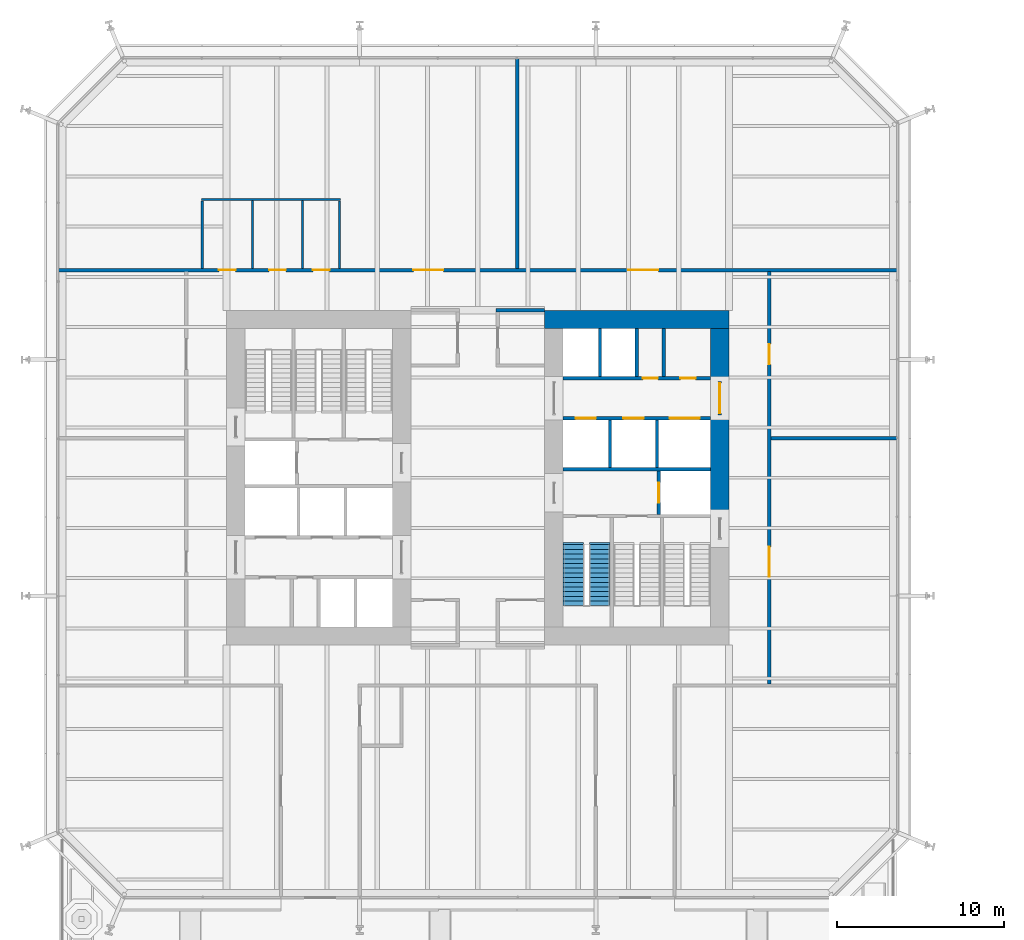
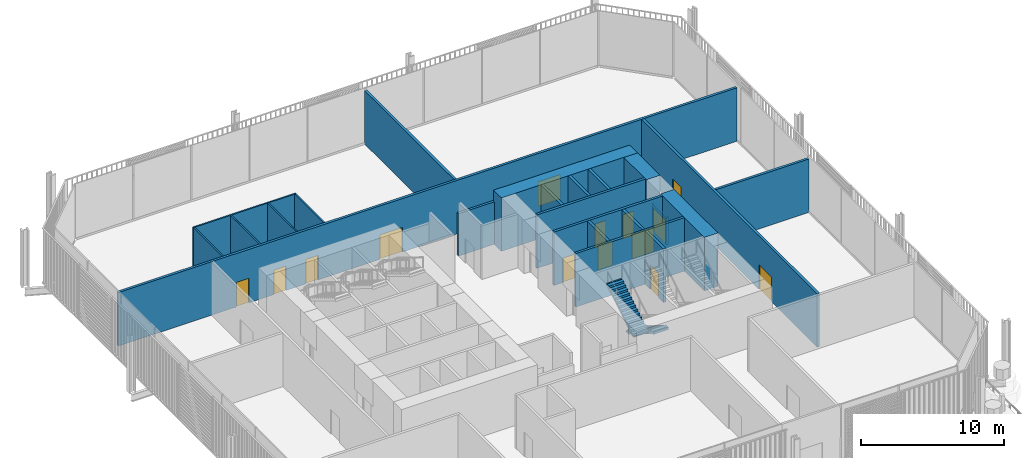
# One storey, part 17 of 21: 23 walls, 14 doors, 2 stair flights, 14 openings, 1 element without a shape of its own.
"""IFC4 building model written with IfcOpenShell, lengths in metres."""

from ifc_helpers import new_model, si_unit, direction, frame, frame_2d, origin, place, context, subcontext, project, spatial, polyline, rectangle, outline, extrude, material, layer, layer_set, type_object, element, fill, aggregate, save


model = new_model("IFC4")

# Units and contexts
model_context = context("Model", 3, precision=1e-05, world=origin(), true_north=direction((0.0, 1.0)))
body_context = subcontext(model_context, "Body", "Model", "MODEL_VIEW")
ifc_project = project(units=[si_unit("LENGTHUNIT", "METRE"), si_unit("AREAUNIT", "SQUARE_METRE"), si_unit("VOLUMEUNIT", "CUBIC_METRE"), si_unit("PLANEANGLEUNIT", "RADIAN"), si_unit("MASSUNIT", "GRAM", prefix="KILO")], contexts=[model_context])

# Site, building, storey
site_placement = place(None, origin())
site = spatial("IfcSite", under=ifc_project, at=site_placement, CompositionType="ELEMENT")
building_placement = place(site_placement, origin())
building = spatial("IfcBuilding", under=site, at=building_placement, Name="Millrace Tower", CompositionType="ELEMENT")
storey_placement = place(building_placement, frame((0.0, 0.0, 16.10009765625)))
storey = spatial("IfcBuildingStorey", under=building, at=storey_placement, Name="L04", CompositionType="ELEMENT", Elevation=16.10009765625)

# Walls
ifc_material_1 = material(Name="Concrete C80", Category="concrete")
ifc_layer_1 = layer(ifc_material_1, 1.10009765625)
ifc_layer_set_1 = layer_set([ifc_layer_1], Name="Concrete C80")
wall_type_1 = type_object("IfcWallType", Name="Core wall 1100 Concrete C80", PredefinedType="SHEAR", material=ifc_layer_set_1)
wall_1_placement = place(storey_placement, frame((15.0, 9.449951171875, 0.0), z_axis=(0.0, 0.0, 1.0), x_axis=(-1.0, 0.0, 0.0)))
element("IfcWall", 1, at=wall_1_placement, inside=storey, type_object=wall_type_1, Name="Core wall E L04", PredefinedType="SHEAR", context=body_context, shape_type="SweptSolid", body=[
    extrude(rectangle(XDim=11.0, YDim=1.10009765625, at=frame_2d((5.5, 0.0))), origin(), (0.0, 0.0, 1.0), 4.574951171875),
])
wall_2_placement = place(storey_placement, frame((14.449951171875, 8.89990234375, 0.0), z_axis=(0.0, 0.0, 1.0), x_axis=(0.0, -1.0, 0.0)))
element("IfcWall", 2, at=wall_2_placement, inside=storey, type_object=wall_type_1, Name="Core wall E L04", PredefinedType="SHEAR", context=body_context, shape_type="SweptSolid", body=[
    extrude(rectangle(XDim=3.14990234375, YDim=1.10009765625, at=frame_2d((1.574951171875, 0.0))), origin(), (0.0, 0.0, 1.0), 4.574951171875),
])
wall_3_placement = place(storey_placement, frame((14.449951171875, 3.75, 0.0), z_axis=(0.0, 0.0, 1.0), x_axis=(0.0, -1.0, 0.0)))
element("IfcWall", 3, at=wall_3_placement, inside=storey, type_object=wall_type_1, Name="Core wall E L04", PredefinedType="SHEAR", context=body_context, shape_type="SweptSolid", body=[
    extrude(rectangle(XDim=6.1298828125, YDim=1.10009765625, at=frame_2d((3.06494140625, 0.0))), origin(), (0.0, 0.0, 1.0), 4.574951171875),
])
ifc_material_2 = material(Name="Masonry partition, fire-rated", Category="masonry")
ifc_layer_2 = layer(ifc_material_2, 0.199951171875)
ifc_layer_set_2 = layer_set([ifc_layer_2], Name="Masonry partition, fire-rated")
wall_type_2 = type_object("IfcWallType", Name="Corridor wall 200", PredefinedType="PARTITIONING", material=ifc_layer_set_2)
wall_4_placement = place(storey_placement, frame((17.5, 2.35009765625, 0.0), z_axis=(0.0, 0.0, 1.0), x_axis=(1.0, 0.0, 0.0)))
element("IfcWall", 4, at=wall_4_placement, inside=storey, type_object=wall_type_2, Name="Corridor wall L04", PredefinedType="PARTITIONING", context=body_context, shape_type="SweptSolid", body=[
    extrude(rectangle(XDim=7.530029296875, YDim=0.199951171875, at=frame_2d((3.76513671875, 0.0))), origin(), (0.0, 0.0, 1.0), 4.574951171875),
])
wall_5_placement = place(storey_placement, frame((1.10009765625, 10.0, 0.0), z_axis=(0.0, 0.0, 1.0), x_axis=(1.0, 0.0, 0.0)))
element("IfcWall", 5, at=wall_5_placement, inside=storey, type_object=wall_type_2, Name="Corridor wall L04", PredefinedType="PARTITIONING", context=body_context, shape_type="SweptSolid", body=[
    extrude(rectangle(XDim=2.89990234375, YDim=0.199951171875, at=frame_2d((1.449951171875, 0.0))), origin(), (0.0, 0.0, 1.0), 3.62744140625),
])

# Wall, openings, doors
wall_6_placement = place(storey_placement, frame((-25.030029296875, 12.39990234375, 0.0), z_axis=(0.0, 0.0, 1.0), x_axis=(1.0, 0.0, 0.0)))
wall_6 = element("IfcWall", 6, at=wall_6_placement, inside=storey, type_object=wall_type_2, Name="Corridor wall L04", PredefinedType="PARTITIONING", context=body_context, shape_type="SweptSolid", body=[
    extrude(rectangle(XDim=50.06005859375, YDim=0.199951171875, at=frame_2d((25.030029296875, 0.0))), origin(), (0.0, 0.0, 1.0), 4.574951171875),
])
opening_1_placement = place(wall_6_placement, frame((21.179931640625, 0.0, 0.0)))
opening_1 = element("IfcOpeningElement", 7, at=opening_1_placement, cuts=wall_6, Name="Opening 04-P009", PredefinedType="OPENING", context=body_context, shape_type="SweptSolid", body=[
    extrude(rectangle(XDim=1.800048828125, YDim=2.10009765625, at=frame_2d((0.89990234375, 1.050048828125))), frame((0.0, 0.10986328125, 0.0), z_axis=(0.0, -1.0, 0.0), x_axis=(1.0, 0.0, 0.0)), (0.0, 0.0, 1.0), 0.219970703125),
])
opening_2_placement = place(wall_6_placement, frame((9.580078125, 0.0, 0.0)))
opening_2 = element("IfcOpeningElement", 8, at=opening_2_placement, cuts=wall_6, Name="Opening 04-P010", PredefinedType="OPENING", context=body_context, shape_type="SweptSolid", body=[
    extrude(rectangle(XDim=1.0, YDim=2.10009765625, at=frame_2d((0.5, 1.050048828125))), frame((0.0, 0.10986328125, 0.0), z_axis=(0.0, -1.0, 0.0), x_axis=(1.0, 0.0, 0.0)), (0.0, 0.0, 1.0), 0.219970703125),
])
opening_3_placement = place(wall_6_placement, frame((12.580078125, 0.0, 0.0)))
opening_3 = element("IfcOpeningElement", 9, at=opening_3_placement, cuts=wall_6, Name="Opening 04-P011", PredefinedType="OPENING", context=body_context, shape_type="SweptSolid", body=[
    extrude(rectangle(XDim=1.0, YDim=2.10009765625, at=frame_2d((0.5, 1.050048828125))), frame((0.0, 0.10986328125, 0.0), z_axis=(0.0, -1.0, 0.0), x_axis=(1.0, 0.0, 0.0)), (0.0, 0.0, 1.0), 0.219970703125),
])
opening_4_placement = place(wall_6_placement, frame((15.179931640625, 0.0, 0.0)))
opening_4 = element("IfcOpeningElement", 10, at=opening_4_placement, cuts=wall_6, Name="Opening 04-P012", PredefinedType="OPENING", context=body_context, shape_type="SweptSolid", body=[
    extrude(rectangle(XDim=1.0, YDim=2.10009765625, at=frame_2d((0.5, 1.050048828125))), frame((0.0, 0.10986328125, 0.0), z_axis=(0.0, -1.0, 0.0), x_axis=(1.0, 0.0, 0.0)), (0.0, 0.0, 1.0), 0.219970703125),
])
opening_5_placement = place(wall_6_placement, frame((34.010009765625, 0.0, 0.0)))
opening_5 = element("IfcOpeningElement", 11, at=opening_5_placement, cuts=wall_6, Name="Opening 04-P013", PredefinedType="OPENING", context=body_context, shape_type="SweptSolid", body=[
    extrude(rectangle(XDim=1.800048828125, YDim=2.10009765625, at=frame_2d((0.89990234375, 1.050048828125))), frame((0.0, 0.10986328125, 0.0), z_axis=(0.0, -1.0, 0.0), x_axis=(1.0, 0.0, 0.0)), (0.0, 0.0, 1.0), 0.219970703125),
])
ifc_material_3 = material(Name="Steel door set, fire-rated", Category="steel")
door_type_1 = type_object("IfcDoorType", Name="Corridor door 1000 x 2100", OperationType="SINGLE_SWING_LEFT", PredefinedType="DOOR", material=ifc_material_3)
door_1_placement = place(opening_2_placement, origin())
door_1 = element("IfcDoor", 12, at=door_1_placement, inside=storey, type_object=door_type_1, Name="Door 04-P010", OperationType="SINGLE_SWING_LEFT", OverallHeight=2.10009765625, OverallWidth=1.0, PredefinedType="DOOR", context=body_context, shape_type="SweptSolid", body=[
    extrude(rectangle(XDim=1.0, YDim=2.10009765625, at=frame_2d((0.5, 1.050048828125))), frame((0.0, 0.02490234375, 0.0), z_axis=(0.0, -1.0, 0.0), x_axis=(1.0, 0.0, 0.0)), (0.0, 0.0, 1.0), 0.050048828125),
])
fill(opening_2, door_1)
door_2_placement = place(opening_3_placement, origin())
door_2 = element("IfcDoor", 13, at=door_2_placement, inside=storey, type_object=door_type_1, Name="Door 04-P011", OperationType="SINGLE_SWING_LEFT", OverallHeight=2.10009765625, OverallWidth=1.0, PredefinedType="DOOR", context=body_context, shape_type="SweptSolid", body=[
    extrude(rectangle(XDim=1.0, YDim=2.10009765625, at=frame_2d((0.5, 1.050048828125))), frame((0.0, 0.02490234375, 0.0), z_axis=(0.0, -1.0, 0.0), x_axis=(1.0, 0.0, 0.0)), (0.0, 0.0, 1.0), 0.050048828125),
])
fill(opening_3, door_2)
door_3_placement = place(opening_4_placement, origin())
door_3 = element("IfcDoor", 14, at=door_3_placement, inside=storey, type_object=door_type_1, Name="Door 04-P012", OperationType="SINGLE_SWING_LEFT", OverallHeight=2.10009765625, OverallWidth=1.0, PredefinedType="DOOR", context=body_context, shape_type="SweptSolid", body=[
    extrude(rectangle(XDim=1.0, YDim=2.10009765625, at=frame_2d((0.5, 1.050048828125))), frame((0.0, 0.02490234375, 0.0), z_axis=(0.0, -1.0, 0.0), x_axis=(1.0, 0.0, 0.0)), (0.0, 0.0, 1.0), 0.050048828125),
])
fill(opening_4, door_3)
ifc_material_4 = material(Name="Steel door set, fire-rated", Category="steel")
door_type_2 = type_object("IfcDoorType", Name="Corridor door 1800 x 2100", OperationType="DOUBLE_DOOR_SINGLE_SWING", PredefinedType="DOOR", material=ifc_material_4)
door_4_placement = place(opening_1_placement, frame((1.800048828125, 0.0, 0.0), z_axis=(0.0, 0.0, 1.0), x_axis=(-1.0, 0.0, 0.0)))
door_4 = element("IfcDoor", 15, at=door_4_placement, inside=storey, type_object=door_type_2, Name="Door 04-P009", OperationType="DOUBLE_DOOR_SINGLE_SWING", OverallHeight=2.10009765625, OverallWidth=1.800048828125, PredefinedType="DOOR", context=body_context, shape_type="SweptSolid", body=[
    extrude(rectangle(XDim=1.800048828125, YDim=2.10009765625, at=frame_2d((0.89990234375, 1.050048828125))), frame((0.0, 0.02490234375, 0.0), z_axis=(0.0, -1.0, 0.0), x_axis=(1.0, 0.0, 0.0)), (0.0, 0.0, 1.0), 0.050048828125),
])
fill(opening_1, door_4)
ifc_material_5 = material(Name="Steel door set, fire-rated", Category="steel")
door_type_3 = type_object("IfcDoorType", Name="Data hall door 1800 x 2100", OperationType="DOUBLE_DOOR_SINGLE_SWING", PredefinedType="DOOR", material=ifc_material_5)
door_5_placement = place(opening_5_placement, origin())
door_5 = element("IfcDoor", 16, at=door_5_placement, inside=storey, type_object=door_type_3, Name="Door 04-P013", OperationType="DOUBLE_DOOR_SINGLE_SWING", OverallHeight=2.10009765625, OverallWidth=1.800048828125, PredefinedType="DOOR", context=body_context, shape_type="SweptSolid", body=[
    extrude(rectangle(XDim=1.800048828125, YDim=2.10009765625, at=frame_2d((0.89990234375, 1.050048828125))), frame((0.0, 0.02490234375, 0.0), z_axis=(0.0, -1.0, 0.0), x_axis=(1.0, 0.0, 0.0)), (0.0, 0.0, 1.0), 0.050048828125),
])
fill(opening_5, door_5)

wall_7_placement = place(storey_placement, frame((17.39990234375, -12.300048828125, 0.0), z_axis=(0.0, 0.0, 1.0), x_axis=(0.0, 1.0, 0.0)))
wall_7 = element("IfcWall", 17, at=wall_7_placement, inside=storey, type_object=wall_type_2, Name="Corridor wall L04", PredefinedType="PARTITIONING", context=body_context, shape_type="SweptSolid", body=[
    extrude(rectangle(XDim=24.60009765625, YDim=0.199951171875, at=frame_2d((12.300048828125, 0.0))), origin(), (0.0, 0.0, 1.0), 4.574951171875),
])
opening_6_placement = place(wall_7_placement, frame((6.375, 0.0, 0.0)))
opening_6 = element("IfcOpeningElement", 18, at=opening_6_placement, cuts=wall_7, Name="Opening 04-P014", PredefinedType="OPENING", context=body_context, shape_type="SweptSolid", body=[
    extrude(rectangle(XDim=1.800048828125, YDim=2.10009765625, at=frame_2d((0.89990234375, 1.050048828125))), frame((0.0, 0.10986328125, 0.0), z_axis=(0.0, -1.0, 0.0), x_axis=(1.0, 0.0, 0.0)), (0.0, 0.0, 1.0), 0.219970703125),
])
opening_7_placement = place(wall_7_placement, frame((19.074951171875, 0.0, 0.0)))
opening_7 = element("IfcOpeningElement", 19, at=opening_7_placement, cuts=wall_7, Name="Opening 04-P015", PredefinedType="OPENING", context=body_context, shape_type="SweptSolid", body=[
    extrude(rectangle(XDim=1.199951171875, YDim=2.10009765625, at=frame_2d((0.60009765625, 1.050048828125))), frame((0.0, 0.10986328125, 0.0), z_axis=(0.0, -1.0, 0.0), x_axis=(1.0, 0.0, 0.0)), (0.0, 0.0, 1.0), 0.219970703125),
])
ifc_material_6 = material(Name="Steel door set, fire-rated", Category="steel")
door_type_4 = type_object("IfcDoorType", Name="Corridor door 1200 x 2100", OperationType="SINGLE_SWING_LEFT", PredefinedType="DOOR", material=ifc_material_6)
door_6_placement = place(opening_7_placement, frame((1.199951171875, 0.0, 0.0), z_axis=(0.0, 0.0, 1.0), x_axis=(-1.0, 0.0, 0.0)))
door_6 = element("IfcDoor", 20, at=door_6_placement, inside=storey, type_object=door_type_4, Name="Door 04-P015", OperationType="SINGLE_SWING_LEFT", OverallHeight=2.10009765625, OverallWidth=1.199951171875, PredefinedType="DOOR", context=body_context, shape_type="SweptSolid", body=[
    extrude(rectangle(XDim=1.199951171875, YDim=2.10009765625, at=frame_2d((0.60009765625, 1.050048828125))), frame((0.0, 0.02490234375, 0.0), z_axis=(0.0, -1.0, 0.0), x_axis=(1.0, 0.0, 0.0)), (0.0, 0.0, 1.0), 0.050048828125),
])
fill(opening_7, door_6)
door_7_placement = place(opening_6_placement, frame((1.800048828125, 0.0, 0.0), z_axis=(0.0, 0.0, 1.0), x_axis=(-1.0, 0.0, 0.0)))
door_7 = element("IfcDoor", 21, at=door_7_placement, inside=storey, type_object=door_type_3, Name="Door 04-P014", OperationType="DOUBLE_DOOR_SINGLE_SWING", OverallHeight=2.10009765625, OverallWidth=1.800048828125, PredefinedType="DOOR", context=body_context, shape_type="SweptSolid", body=[
    extrude(rectangle(XDim=1.800048828125, YDim=2.10009765625, at=frame_2d((0.89990234375, 1.050048828125))), frame((0.0, 0.02490234375, 0.0), z_axis=(0.0, -1.0, 0.0), x_axis=(1.0, 0.0, 0.0)), (0.0, 0.0, 1.0), 0.050048828125),
])
fill(opening_6, door_7)

# Wall
wall_8_placement = place(storey_placement, frame((2.35009765625, 12.5, 0.0), z_axis=(0.0, 0.0, 1.0), x_axis=(0.0, 1.0, 0.0)))
element("IfcWall", 22, at=wall_8_placement, inside=storey, type_object=wall_type_2, Name="Corridor wall L04", PredefinedType="PARTITIONING", context=body_context, shape_type="SweptSolid", body=[
    extrude(rectangle(XDim=12.530029296875, YDim=0.199951171875, at=frame_2d((6.26513671875, 0.0))), origin(), (0.0, 0.0, 1.0), 4.574951171875),
])

# Wall, openings, doors
ifc_material_7 = material(Name="Masonry partition, fire-rated", Category="masonry")
ifc_layer_3 = layer(ifc_material_7, 0.199951171875)
ifc_layer_set_3 = layer_set([ifc_layer_3], Name="Masonry partition, fire-rated")
wall_type_3 = type_object("IfcWallType", Name="Lift shaft wall 200", PredefinedType="PARTITIONING", material=ifc_layer_set_3)
wall_9_placement = place(storey_placement, frame((13.89990234375, 5.949951171875, 0.0), z_axis=(0.0, 0.0, 1.0), x_axis=(-1.0, 0.0, 0.0)))
wall_9 = element("IfcWall", 23, at=wall_9_placement, inside=storey, type_object=wall_type_3, Name="Lift shaft wall E L04", PredefinedType="PARTITIONING", context=body_context, shape_type="SweptSolid", body=[
    extrude(rectangle(XDim=8.7998046875, YDim=0.199951171875, at=frame_2d((4.39990234375, 0.0))), origin(), (0.0, 0.0, 1.0), 4.574951171875),
])
opening_8_placement = place(wall_9_placement, frame((0.8974609375, 0.0, 0.0)))
opening_8 = element("IfcOpeningElement", 24, at=opening_8_placement, cuts=wall_9, Name="Opening 04-C013", PredefinedType="OPENING", context=body_context, shape_type="SweptSolid", body=[
    extrude(rectangle(XDim=0.89990234375, YDim=2.10009765625, at=frame_2d((0.449951171875, 1.050048828125))), frame((0.0, 0.10986328125, 0.0), z_axis=(0.0, -1.0, 0.0), x_axis=(1.0, 0.0, 0.0)), (0.0, 0.0, 1.0), 0.219970703125),
])
opening_9_placement = place(wall_9_placement, frame((3.1474609375, 0.0, 0.0)))
opening_9 = element("IfcOpeningElement", 25, at=opening_9_placement, cuts=wall_9, Name="Opening 04-C014", PredefinedType="OPENING", context=body_context, shape_type="SweptSolid", body=[
    extrude(rectangle(XDim=0.89990234375, YDim=2.10009765625, at=frame_2d((0.449951171875, 1.050048828125))), frame((0.0, 0.10986328125, 0.0), z_axis=(0.0, -1.0, 0.0), x_axis=(1.0, 0.0, 0.0)), (0.0, 0.0, 1.0), 0.219970703125),
])
ifc_material_8 = material(Name="Steel door, fire-rated", Category="steel")
door_type_5 = type_object("IfcDoorType", Name="Service room door 900 x 2100", OperationType="SINGLE_SWING_LEFT", PredefinedType="DOOR", material=ifc_material_8)
door_8_placement = place(opening_8_placement, frame((0.89990234375, 0.0, 0.0), z_axis=(0.0, 0.0, 1.0), x_axis=(-1.0, 0.0, 0.0)))
door_8 = element("IfcDoor", 26, at=door_8_placement, inside=storey, type_object=door_type_5, Name="Service room door 04-C013", OperationType="SINGLE_SWING_RIGHT", OverallHeight=2.10009765625, OverallWidth=0.89990234375, PredefinedType="DOOR", context=body_context, shape_type="SweptSolid", body=[
    extrude(rectangle(XDim=0.89990234375, YDim=2.10009765625, at=frame_2d((0.449951171875, 1.050048828125))), frame((0.0, 0.02490234375, 0.0), z_axis=(0.0, -1.0, 0.0), x_axis=(1.0, 0.0, 0.0)), (0.0, 0.0, 1.0), 0.050048828125),
])
fill(opening_8, door_8)
door_9_placement = place(opening_9_placement, frame((0.89990234375, 0.0, 0.0), z_axis=(0.0, 0.0, 1.0), x_axis=(-1.0, 0.0, 0.0)))
door_9 = element("IfcDoor", 27, at=door_9_placement, inside=storey, type_object=door_type_5, Name="Service room door 04-C014", OperationType="SINGLE_SWING_RIGHT", OverallHeight=2.10009765625, OverallWidth=0.89990234375, PredefinedType="DOOR", context=body_context, shape_type="SweptSolid", body=[
    extrude(rectangle(XDim=0.89990234375, YDim=2.10009765625, at=frame_2d((0.449951171875, 1.050048828125))), frame((0.0, 0.02490234375, 0.0), z_axis=(0.0, -1.0, 0.0), x_axis=(1.0, 0.0, 0.0)), (0.0, 0.0, 1.0), 0.050048828125),
])
fill(opening_9, door_9)

wall_10_placement = place(storey_placement, frame((13.89990234375, 3.550048828125, 0.0), z_axis=(0.0, 0.0, 1.0), x_axis=(-1.0, 0.0, 0.0)))
wall_10 = element("IfcWall", 28, at=wall_10_placement, inside=storey, type_object=wall_type_3, Name="Lift shaft wall E L04", PredefinedType="PARTITIONING", context=body_context, shape_type="SweptSolid", body=[
    extrude(rectangle(XDim=8.7998046875, YDim=0.199951171875, at=frame_2d((4.39990234375, 0.0))), origin(), (0.0, 0.0, 1.0), 4.574951171875),
])
opening_10_placement = place(wall_10_placement, frame((0.64990234375, 0.0, 0.0)))
opening_10 = element("IfcOpeningElement", 29, at=opening_10_placement, cuts=wall_10, Name="Opening 04-LD13", PredefinedType="OPENING", context=body_context, shape_type="SweptSolid", body=[
    extrude(rectangle(XDim=1.800048828125, YDim=2.10009765625, at=frame_2d((0.89990234375, 1.050048828125))), frame((0.0, 0.10986328125, 0.0), z_axis=(0.0, -1.0, 0.0), x_axis=(1.0, 0.0, 0.0)), (0.0, 0.0, 1.0), 0.219970703125),
])
opening_11_placement = place(wall_10_placement, frame((4.0, 0.0, 0.0)))
opening_11 = element("IfcOpeningElement", 30, at=opening_11_placement, cuts=wall_10, Name="Opening 04-LD14", PredefinedType="OPENING", context=body_context, shape_type="SweptSolid", body=[
    extrude(rectangle(XDim=1.199951171875, YDim=2.10009765625, at=frame_2d((0.60009765625, 1.050048828125))), frame((0.0, 0.10986328125, 0.0), z_axis=(0.0, -1.0, 0.0), x_axis=(1.0, 0.0, 0.0)), (0.0, 0.0, 1.0), 0.219970703125),
])
opening_12_placement = place(wall_10_placement, frame((6.85009765625, 0.0, 0.0)))
opening_12 = element("IfcOpeningElement", 31, at=opening_12_placement, cuts=wall_10, Name="Opening 04-LD15", PredefinedType="OPENING", context=body_context, shape_type="SweptSolid", body=[
    extrude(rectangle(XDim=1.199951171875, YDim=2.10009765625, at=frame_2d((0.60009765625, 1.050048828125))), frame((0.0, 0.10986328125, 0.0), z_axis=(0.0, -1.0, 0.0), x_axis=(1.0, 0.0, 0.0)), (0.0, 0.0, 1.0), 0.219970703125),
])
ifc_material_9 = material(Name="Stainless steel, fire-rated", Category="steel")
door_type_6 = type_object("IfcDoorType", Name="Lift landing door 1200 x 2100", OperationType="DOUBLE_DOOR_SLIDING", PredefinedType="DOOR", material=ifc_material_9)
door_10_placement = place(opening_11_placement, origin())
door_10 = element("IfcDoor", 32, at=door_10_placement, inside=storey, type_object=door_type_6, Name="Lift landing door LF14 L04", OperationType="DOUBLE_DOOR_SLIDING", OverallHeight=2.10009765625, OverallWidth=1.199951171875, PredefinedType="DOOR", context=body_context, shape_type="SweptSolid", body=[
    extrude(rectangle(XDim=1.199951171875, YDim=2.10009765625, at=frame_2d((0.60009765625, 1.050048828125))), frame((0.0, 0.02490234375, 0.0), z_axis=(0.0, -1.0, 0.0), x_axis=(1.0, 0.0, 0.0)), (0.0, 0.0, 1.0), 0.050048828125),
])
fill(opening_11, door_10)
door_11_placement = place(opening_12_placement, origin())
door_11 = element("IfcDoor", 33, at=door_11_placement, inside=storey, type_object=door_type_6, Name="Lift landing door LF15 L04", OperationType="DOUBLE_DOOR_SLIDING", OverallHeight=2.10009765625, OverallWidth=1.199951171875, PredefinedType="DOOR", context=body_context, shape_type="SweptSolid", body=[
    extrude(rectangle(XDim=1.199951171875, YDim=2.10009765625, at=frame_2d((0.60009765625, 1.050048828125))), frame((0.0, 0.02490234375, 0.0), z_axis=(0.0, -1.0, 0.0), x_axis=(1.0, 0.0, 0.0)), (0.0, 0.0, 1.0), 0.050048828125),
])
fill(opening_12, door_11)
ifc_material_10 = material(Name="Stainless steel, fire-rated", Category="steel")
door_type_7 = type_object("IfcDoorType", Name="Lift landing door 1800 x 2100", OperationType="DOUBLE_DOOR_SLIDING", PredefinedType="DOOR", material=ifc_material_10)
door_12_placement = place(opening_10_placement, origin())
door_12 = element("IfcDoor", 34, at=door_12_placement, inside=storey, type_object=door_type_7, Name="Lift landing door LF13 L04", OperationType="DOUBLE_DOOR_SLIDING", OverallHeight=2.10009765625, OverallWidth=1.800048828125, PredefinedType="DOOR", context=body_context, shape_type="SweptSolid", body=[
    extrude(rectangle(XDim=1.800048828125, YDim=2.10009765625, at=frame_2d((0.89990234375, 1.050048828125))), frame((0.0, 0.02490234375, 0.0), z_axis=(0.0, -1.0, 0.0), x_axis=(1.0, 0.0, 0.0)), (0.0, 0.0, 1.0), 0.050048828125),
])
fill(opening_10, door_12)

# Wall
wall_11_placement = place(storey_placement, frame((13.89990234375, 0.5, 0.0), z_axis=(0.0, 0.0, 1.0), x_axis=(-1.0, 0.0, 0.0)))
element("IfcWall", 35, at=wall_11_placement, inside=storey, type_object=wall_type_3, Name="Lift shaft wall E L04", PredefinedType="PARTITIONING", context=body_context, shape_type="SweptSolid", body=[
    extrude(rectangle(XDim=8.7998046875, YDim=0.199951171875, at=frame_2d((4.39990234375, 0.0))), origin(), (0.0, 0.0, 1.0), 4.574951171875),
])

# Wall, opening, door
wall_12_placement = place(storey_placement, frame((10.800048828125, 0.39990234375, 0.0), z_axis=(0.0, 0.0, 1.0), x_axis=(0.0, -1.0, 0.0)))
wall_12 = element("IfcWall", 36, at=wall_12_placement, inside=storey, type_object=wall_type_3, Name="Lift shaft wall E L04", PredefinedType="PARTITIONING", context=body_context, shape_type="SweptSolid", body=[
    extrude(rectangle(XDim=2.579833984375, YDim=0.199951171875, at=frame_2d((1.2900390625, 0.0))), origin(), (0.0, 0.0, 1.0), 4.574951171875),
])
opening_13_placement = place(wall_12_placement, frame((0.68994140625, 0.0, 0.0)))
opening_13 = element("IfcOpeningElement", 37, at=opening_13_placement, cuts=wall_12, Name="Opening 04-LD16", PredefinedType="OPENING", context=body_context, shape_type="SweptSolid", body=[
    extrude(rectangle(XDim=1.199951171875, YDim=2.10009765625, at=frame_2d((0.60009765625, 1.050048828125))), frame((0.0, 0.10986328125, 0.0), z_axis=(0.0, -1.0, 0.0), x_axis=(1.0, 0.0, 0.0)), (0.0, 0.0, 1.0), 0.219970703125),
])
door_13_placement = place(opening_13_placement, origin())
door_13 = element("IfcDoor", 38, at=door_13_placement, inside=storey, type_object=door_type_6, Name="Lift landing door LF16 L04", OperationType="DOUBLE_DOOR_SLIDING", OverallHeight=2.10009765625, OverallWidth=1.199951171875, PredefinedType="DOOR", context=body_context, shape_type="SweptSolid", body=[
    extrude(rectangle(XDim=1.199951171875, YDim=2.10009765625, at=frame_2d((0.60009765625, 1.050048828125))), frame((0.0, 0.02490234375, 0.0), z_axis=(0.0, -1.0, 0.0), x_axis=(1.0, 0.0, 0.0)), (0.0, 0.0, 1.0), 0.050048828125),
])
fill(opening_13, door_13)

# Walls
for number, where, z_axis, x_axis, name in (
    (39, (9.5, 8.89990234375, 0.0), (0.0, 0.0, 1.0), (0.0, -1.0, 0.0), "Lift shaft wall E L04"),
    (40, (7.300048828125, 8.89990234375, 0.0), (0.0, 0.0, 1.0), (0.0, -1.0, 0.0), "Lift shaft wall E L04"),
    (41, (10.699951171875, 3.449951171875, 0.0), (0.0, 0.0, 1.0), (0.0, -1.0, 0.0), "Lift shaft wall E L04"),
    (42, (7.89990234375, 3.449951171875, 0.0), (0.0, 0.0, 1.0), (0.0, -1.0, 0.0), "Lift shaft wall E L04"),
):
    element("IfcWall", number, at=place(storey_placement, frame(where, z_axis=z_axis, x_axis=x_axis)), inside=storey, type_object=wall_type_3, Name=name, PredefinedType="PARTITIONING", context=body_context, shape_type="SweptSolid", body=[
        extrude(rectangle(XDim=2.849853515625, YDim=0.199951171875, at=frame_2d((1.4248046875, 0.0))), origin(), (0.0, 0.0, 1.0), 4.574951171875),
    ])

# Wall, opening, door
ifc_material_11 = material(Name="Masonry partition, fire-rated", Category="masonry")
ifc_layer_4 = layer(ifc_material_11, 0.199951171875)
ifc_layer_set_4 = layer_set([ifc_layer_4], Name="Masonry partition, fire-rated")
wall_type_4 = type_object("IfcWallType", Name="Lobby wall 200", PredefinedType="PARTITIONING", material=ifc_layer_set_4)
wall_13_placement = place(storey_placement, frame((14.449951171875, 5.75, 0.0), z_axis=(0.0, 0.0, 1.0), x_axis=(0.0, -1.0, 0.0)))
wall_13 = element("IfcWall", 43, at=wall_13_placement, inside=storey, type_object=wall_type_4, Name="Lobby wall E L04", PredefinedType="PARTITIONING", context=body_context, shape_type="SweptSolid", body=[
    extrude(rectangle(XDim=2.0, YDim=0.199951171875, at=frame_2d((1.0, 0.0))), origin(), (0.0, 0.0, 1.0), 2.39990234375),
])
opening_14_placement = place(wall_13_placement, frame((0.10009765625, 0.0, 0.0)))
opening_14 = element("IfcOpeningElement", 44, at=opening_14_placement, cuts=wall_13, Name="Opening 04-C009", PredefinedType="OPENING", context=body_context, shape_type="SweptSolid", body=[
    extrude(rectangle(XDim=1.800048828125, YDim=2.10009765625, at=frame_2d((0.89990234375, 1.050048828125))), frame((0.0, 0.10986328125, 0.0), z_axis=(0.0, -1.0, 0.0), x_axis=(1.0, 0.0, 0.0)), (0.0, 0.0, 1.0), 0.219970703125),
])
ifc_material_12 = material(Name="Steel door, fire-rated", Category="steel")
door_type_8 = type_object("IfcDoorType", Name="Lobby door 1800 x 2100", OperationType="DOUBLE_DOOR_SINGLE_SWING", PredefinedType="DOOR", material=ifc_material_12)
door_14_placement = place(opening_14_placement, origin())
door_14 = element("IfcDoor", 45, at=door_14_placement, inside=storey, type_object=door_type_8, Name="Lobby door 04-C009", OperationType="DOUBLE_DOOR_SINGLE_SWING", OverallHeight=2.10009765625, OverallWidth=1.800048828125, PredefinedType="DOOR", context=body_context, shape_type="SweptSolid", body=[
    extrude(rectangle(XDim=1.800048828125, YDim=2.10009765625, at=frame_2d((0.89990234375, 1.050048828125))), frame((0.0, 0.02490234375, 0.0), z_axis=(0.0, -1.0, 0.0), x_axis=(1.0, 0.0, 0.0)), (0.0, 0.0, 1.0), 0.050048828125),
])
fill(opening_14, door_14)

# Walls
ifc_material_13 = material(Name="Gypsum board partition")
ifc_layer_5 = layer(ifc_material_13, 0.1201171875)
ifc_layer_set_5 = layer_set([ifc_layer_5], Name="Gypsum board partition")
wall_type_5 = type_object("IfcWallType", Name="Partition wall 120", PredefinedType="PARTITIONING", material=ifc_layer_set_5)
wall_14_placement = place(storey_placement, frame((-16.509033203125, 16.60009765625, 0.0), z_axis=(0.0, 0.0, 1.0), x_axis=(1.0, 0.0, 0.0)))
element("IfcWall", 46, at=wall_14_placement, inside=storey, type_object=wall_type_5, Name="Partition wall L04", PredefinedType="PARTITIONING", context=body_context, shape_type="SweptSolid", body=[
    extrude(rectangle(XDim=8.318115234375, YDim=0.1201171875, at=frame_2d((4.1591796875, 0.0))), origin(), (0.0, 0.0, 1.0), 4.574951171875),
])
wall_15_placement = place(storey_placement, frame((-8.25, 12.5, 0.0), z_axis=(0.0, 0.0, 1.0), x_axis=(0.0, 1.0, 0.0)))
element("IfcWall", 47, at=wall_15_placement, inside=storey, type_object=wall_type_5, Name="Partition wall L04", PredefinedType="PARTITIONING", context=body_context, shape_type="SweptSolid", body=[
    extrude(rectangle(XDim=4.0390625, YDim=0.1201171875, at=frame_2d((2.01953125, 0.0))), origin(), (0.0, 0.0, 1.0), 4.574951171875),
])
for number, where, z_axis, x_axis, name in (
    (48, (-10.449951171875, 12.5, 0.0), (0.0, 0.0, 1.0), (0.0, 1.0, 0.0), "Partition wall L04"),
    (49, (-13.449951171875, 12.5, 0.0), (0.0, 0.0, 1.0), (0.0, 1.0, 0.0), "Partition wall L04"),
):
    element("IfcWall", number, at=place(storey_placement, frame(where, z_axis=z_axis, x_axis=x_axis)), inside=storey, type_object=wall_type_5, Name=name, PredefinedType="PARTITIONING", context=body_context, shape_type="SweptSolid", body=[
        extrude(rectangle(XDim=4.0400390625, YDim=0.1201171875, at=frame_2d((2.02001953125, 0.0))), origin(), (0.0, 0.0, 1.0), 4.574951171875),
    ])
wall_16_placement = place(storey_placement, frame((-16.449951171875, 12.5, 0.0), z_axis=(0.0, 0.0, 1.0), x_axis=(0.0, 1.0, 0.0)))
element("IfcWall", 50, at=wall_16_placement, inside=storey, type_object=wall_type_5, Name="Partition wall L04", PredefinedType="PARTITIONING", context=body_context, shape_type="SweptSolid", body=[
    extrude(rectangle(XDim=4.0390625, YDim=0.1201171875, at=frame_2d((2.01953125, 0.0))), origin(), (0.0, 0.0, 1.0), 4.574951171875),
])
ifc_material_14 = material(Name="Masonry partition, fire-rated", Category="masonry")
ifc_layer_6 = layer(ifc_material_14, 0.199951171875)
ifc_layer_set_6 = layer_set([ifc_layer_6], Name="Masonry partition, fire-rated")
wall_type_6 = type_object("IfcWallType", Name="Room partition 200", PredefinedType="PARTITIONING", material=ifc_layer_set_6)
wall_17_placement = place(storey_placement, frame((11.10498046875, 8.89990234375, 0.0), z_axis=(0.0, 0.0, 1.0), x_axis=(0.0, -1.0, 0.0)))
element("IfcWall", 51, at=wall_17_placement, inside=storey, type_object=wall_type_6, Name="Room partition E L04", PredefinedType="PARTITIONING", context=body_context, shape_type="SweptSolid", body=[
    extrude(rectangle(XDim=2.849853515625, YDim=0.199951171875, at=frame_2d((1.4248046875, 0.0))), origin(), (0.0, 0.0, 1.0), 4.574951171875),
])

# Stair, stair flights
ifc_material_15 = material(Name="Concrete C35", Category="concrete")
stair_type = type_object("IfcStairType", Name="Exit stair", PredefinedType="HALF_TURN_STAIR", material=ifc_material_15)
stair_placement = place(storey_placement, origin())
stair = element("IfcStair", 52, at=stair_placement, inside=storey, type_object=stair_type, Name="Stair 3 E L04", PredefinedType="HALF_TURN_STAIR")
ifc_material_16 = material(Name="Concrete C35", Category="concrete")
stair_flight_type = type_object("IfcStairFlightType", Name="Exit stair flight", PredefinedType="STRAIGHT", material=ifc_material_16)
stair_flight_1_placement = place(storey_placement, frame((7.2900390625, -4.0, 0.0), z_axis=(0.0, 0.0, 1.0), x_axis=(0.0, -1.0, 0.0)))
stair_flight_1 = element("IfcStairFlight", 53, at=stair_flight_1_placement, type_object=stair_flight_type, Name="ST12 flight 1", NumberOfRisers=14, NumberOfTreads=13, PredefinedType="STRAIGHT", RiserHeight=0.171428571, TreadLength=0.28, context=body_context, shape_type="SweptSolid", body=[
    extrude(outline(polyline([(-0.1201171875, -0.0400390625), (-0.1201171875, 0.0), (0.0, 0.0), (0.0, 0.17138671875), (0.280029296875, 0.17138671875), (0.280029296875, 0.3427734375), (0.56005859375, 0.3427734375), (0.56005859375, 0.514404296875), (0.840087890625, 0.514404296875), (0.840087890625, 0.685791015625), (1.1201171875, 0.685791015625), (1.1201171875, 0.857177734375), (1.39990234375, 0.857177734375), (1.39990234375, 1.028564453125), (1.679931640625, 1.028564453125), (1.679931640625, 1.199951171875), (1.9599609375, 1.199951171875), (1.9599609375, 1.371337890625), (2.239990234375, 1.371337890625), (2.239990234375, 1.54296875), (2.52001953125, 1.54296875), (2.52001953125, 1.71435546875), (2.800048828125, 1.71435546875), (2.800048828125, 1.8857421875), (3.080078125, 1.8857421875), (3.080078125, 2.05712890625), (3.360107421875, 2.05712890625), (3.360107421875, 2.228515625), (3.639892578125, 2.228515625), (3.639892578125, 2.24853515625), (3.760009765625, 2.24853515625), (3.760009765625, 2.052734375), (3.639892578125, 2.052734375), (0.287109375, 0.0), (0.287109375, -0.0400390625), (-0.1201171875, -0.0400390625)])), frame((0.0, 0.60986328125, 0.0), z_axis=(0.0, -1.0, 0.0), x_axis=(1.0, 0.0, 0.0)), (0.0, 0.0, 1.0), 1.219970703125),
])
stair_flight_2_placement = place(storey_placement, frame((5.7099609375, -7.639892578125, 2.39990234375), z_axis=(0.0, 0.0, 1.0), x_axis=(0.0, 1.0, 0.0)))
stair_flight_2 = element("IfcStairFlight", 54, at=stair_flight_2_placement, type_object=stair_flight_type, Name="ST12 flight 2", NumberOfRisers=14, NumberOfTreads=13, PredefinedType="STRAIGHT", RiserHeight=0.171428571, TreadLength=0.28, context=body_context, shape_type="SweptSolid", body=[
    extrude(outline(polyline([(-0.1201171875, -0.0400390625), (-0.1201171875, 0.0), (0.0, 0.0), (0.0, 0.17138671875), (0.280029296875, 0.17138671875), (0.280029296875, 0.3427734375), (0.56005859375, 0.3427734375), (0.56005859375, 0.514404296875), (0.840087890625, 0.514404296875), (0.840087890625, 0.685791015625), (1.1201171875, 0.685791015625), (1.1201171875, 0.857177734375), (1.39990234375, 0.857177734375), (1.39990234375, 1.028564453125), (1.679931640625, 1.028564453125), (1.679931640625, 1.199951171875), (1.9599609375, 1.199951171875), (1.9599609375, 1.371337890625), (2.239990234375, 1.371337890625), (2.239990234375, 1.54296875), (2.52001953125, 1.54296875), (2.52001953125, 1.71435546875), (2.800048828125, 1.71435546875), (2.800048828125, 1.8857421875), (3.080078125, 1.8857421875), (3.080078125, 2.05712890625), (3.360107421875, 2.05712890625), (3.360107421875, 2.228515625), (3.639892578125, 2.228515625), (3.639892578125, 2.24853515625), (3.760009765625, 2.24853515625), (3.760009765625, 2.052734375), (3.639892578125, 2.052734375), (0.287109375, 0.0), (0.287109375, -0.0400390625), (-0.1201171875, -0.0400390625)])), frame((0.0, 0.60986328125, 0.0), z_axis=(0.0, -1.0, 0.0), x_axis=(1.0, 0.0, 0.0)), (0.0, 0.0, 1.0), 1.219970703125),
])
aggregate(stair, [stair_flight_1, stair_flight_2])

save(model, "model.ifc")
